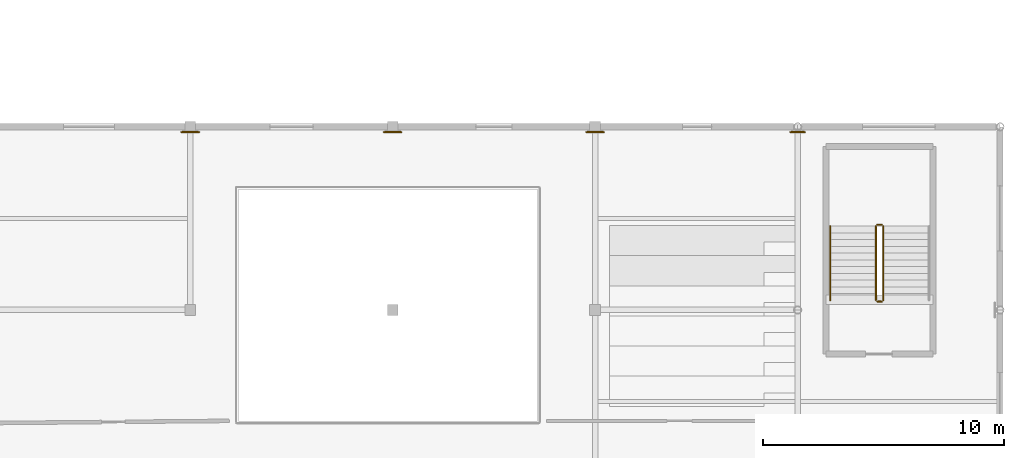
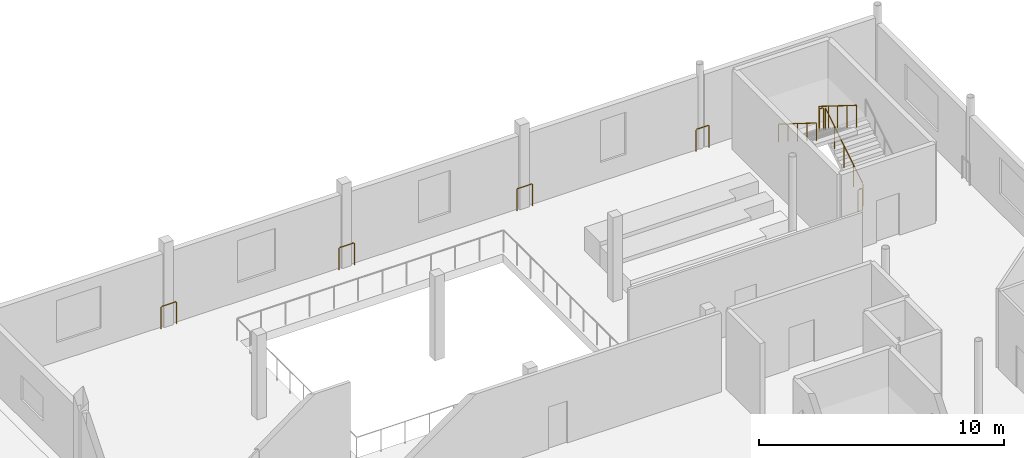
# One storey, part 12 of 13: 9 railings.
"""IFC4 building model written with IfcOpenShell, lengths in metres."""

from ifc_helpers import new_model, si_unit, direction, frame, origin, origin_2d, place, context, subcontext, project, spatial, circle, extrude, material, type_object, element, save


model = new_model("IFC4")

# Units and contexts
model_context = context("Model", 3, precision=1e-05, world=origin(), true_north=direction((0.0, 1.0)))
body_context = subcontext(model_context, "Body", "Model", "MODEL_VIEW")
ifc_project = project(units=[si_unit("LENGTHUNIT", "METRE"), si_unit("AREAUNIT", "SQUARE_METRE"), si_unit("VOLUMEUNIT", "CUBIC_METRE"), si_unit("PLANEANGLEUNIT", "RADIAN"), si_unit("MASSUNIT", "GRAM", prefix="KILO")], contexts=[model_context])

# Site, building, storey
site_placement = place(None, origin())
site = spatial("IfcSite", under=ifc_project, at=site_placement, CompositionType="ELEMENT")
building_placement = place(site_placement, origin())
building = spatial("IfcBuilding", under=site, at=building_placement, Name="Zuvorla Pavilion Media Centre", CompositionType="ELEMENT")
storey_placement = place(building_placement, frame((0.0, 0.0, 22.199951171875)))
storey = spatial("IfcBuildingStorey", under=building, at=storey_placement, Name="L05", CompositionType="ELEMENT", Elevation=22.199951171875)

# Railings
ifc_material_1 = material(Name="Powder-coated steel balustrade guard", Category="steel")
railing_type_1 = type_object("IfcRailingType", Name="RL-INT-GRD", PredefinedType="BALUSTRADE", material=ifc_material_1)
railing_1_placement = place(storey_placement, frame((103.949951171875, 29.199951171875, 0.175048828125)))
element("IfcRailing", 1, at=railing_1_placement, inside=storey, type_object=railing_type_1, Name="L05 ST-04 stair guard 1", PredefinedType="BALUSTRADE", context=body_context, shape_type="SweptSolid", body=[
    extrude(circle(Radius=0.02392578125, at=origin_2d()), frame((0.0, 0.0244140625, 1.111328125), z_axis=(0.0, 0.847998304005, 0.529998940003), x_axis=(-1.0, 0.0, 0.0)), (0.0, 0.0, 1.0), 3.574462890625),
    extrude(circle(Radius=0.02099609375, at=origin_2d()), origin(), (0.0, 0.0, 1.0), 1.070068359375),
    extrude(circle(Radius=0.02099609375, at=origin_2d()), frame((0.0, 0.77001953125, 0.481201171875)), (0.0, 0.0, 1.0), 1.070068359375),
    extrude(circle(Radius=0.02099609375, at=origin_2d()), frame((0.0, 1.5400390625, 0.96240234375)), (0.0, 0.0, 1.0), 1.070068359375),
    extrude(circle(Radius=0.02099609375, at=origin_2d()), frame((0.0, 2.31005859375, 1.44384765625)), (0.0, 0.0, 1.0), 1.070068359375),
    extrude(circle(Radius=0.02099609375, at=origin_2d()), frame((0.0, 3.080078125, 1.925048828125)), (0.0, 0.0, 1.0), 1.070068359375),
])
railing_2_placement = place(storey_placement, frame((103.89990234375, 32.330078125, 2.10009765625)))
element("IfcRailing", 2, at=railing_2_placement, inside=storey, type_object=railing_type_1, Name="L05 ST-04 stair guard 2", PredefinedType="BALUSTRADE", context=body_context, shape_type="SweptSolid", body=[
    extrude(circle(Radius=0.02392578125, at=origin_2d()), frame((-0.02880859375, 0.0, 1.09619140625), z_axis=(-1.0, 0.0, 0.0), x_axis=(0.0, -1.0, 0.0)), (0.0, 0.0, 1.0), 0.142333984375),
    extrude(circle(Radius=0.02099609375, at=origin_2d()), origin(), (0.0, 0.0, 1.0), 1.070068359375),
    extrude(circle(Radius=0.02099609375, at=origin_2d()), frame((-0.199951171875, 0.0, 0.0)), (0.0, 0.0, 1.0), 1.070068359375),
])
railing_3_placement = place(storey_placement, frame((103.64990234375, 32.280029296875, 2.275146484375)))
element("IfcRailing", 3, at=railing_3_placement, inside=storey, type_object=railing_type_1, Name="L05 ST-04 stair guard 3", PredefinedType="BALUSTRADE", context=body_context, shape_type="SweptSolid", body=[
    extrude(circle(Radius=0.02392578125, at=origin_2d()), frame((0.0, -0.0244140625, 1.111328125), z_axis=(0.0, -0.848028513186, 0.529950602248), x_axis=(1.0, 0.0, 0.0)), (0.0, 0.0, 1.0), 3.57421875),
    extrude(circle(Radius=0.02099609375, at=origin_2d()), origin(), (0.0, 0.0, 1.0), 1.070068359375),
    extrude(circle(Radius=0.02099609375, at=origin_2d()), frame((0.0, -0.77001953125, 0.481201171875)), (0.0, 0.0, 1.0), 1.070068359375),
    extrude(circle(Radius=0.02099609375, at=origin_2d()), frame((0.0, -1.5400390625, 0.96240234375)), (0.0, 0.0, 1.0), 1.070068359375),
    extrude(circle(Radius=0.02099609375, at=origin_2d()), frame((0.0, -2.31005859375, 1.443603515625)), (0.0, 0.0, 1.0), 1.070068359375),
    extrude(circle(Radius=0.02099609375, at=origin_2d()), frame((0.0, -3.080078125, 1.9248046875)), (0.0, 0.0, 1.0), 1.070068359375),
])
railing_4_placement = place(storey_placement, frame((103.89990234375, 29.14990234375, 0.0)))
element("IfcRailing", 4, at=railing_4_placement, inside=storey, type_object=railing_type_1, Name="L05 ST-04 stair guard 4", PredefinedType="BALUSTRADE", context=body_context, shape_type="SweptSolid", body=[
    extrude(circle(Radius=0.02392578125, at=origin_2d()), frame((-0.02880859375, 0.0, 1.09619140625), z_axis=(-1.0, 0.0, 0.0), x_axis=(0.0, -1.0, 0.0)), (0.0, 0.0, 1.0), 0.142333984375),
    extrude(circle(Radius=0.02099609375, at=origin_2d()), origin(), (0.0, 0.0, 1.0), 1.070068359375),
    extrude(circle(Radius=0.02099609375, at=origin_2d()), frame((-0.199951171875, 0.0, 0.0)), (0.0, 0.0, 1.0), 1.070068359375),
])
for number, where, name in (
    (5, (74.8349609375, 36.179931640625, 0.0), "L05 slab edge guard 130"),
    (6, (83.235107421875, 36.179931640625, 0.0), "L05 slab edge guard 131"),
    (7, (91.635009765625, 36.179931640625, 0.0), "L05 slab edge guard 132"),
):
    element("IfcRailing", number, at=place(storey_placement, frame(where)), inside=storey, type_object=railing_type_1, Name=name, PredefinedType="BALUSTRADE", context=body_context, shape_type="SweptSolid", body=[
        extrude(circle(Radius=0.02392578125, at=origin_2d()), frame((0.02880859375, 0.0, 1.09619140625), z_axis=(1.0, 0.0, 0.0), x_axis=(0.0, 1.0, 0.0)), (0.0, 0.0, 1.0), 0.67236328125),
        extrude(circle(Radius=0.02099609375, at=origin_2d()), origin(), (0.0, 0.0, 1.0), 1.070068359375),
        extrude(circle(Radius=0.02099609375, at=origin_2d()), frame((0.72998046875, 0.0, 0.0)), (0.0, 0.0, 1.0), 1.070068359375),
    ])
railing_5_placement = place(storey_placement, frame((100.097900390625, 36.179931640625, 0.0)))
element("IfcRailing", 8, at=railing_5_placement, inside=storey, type_object=railing_type_1, Name="L05 slab edge guard 133", PredefinedType="BALUSTRADE", context=body_context, shape_type="SweptSolid", body=[
    extrude(circle(Radius=0.02392578125, at=origin_2d()), frame((0.02880859375, 0.0, 1.09619140625), z_axis=(1.0, 0.0, 0.0), x_axis=(0.0, 1.0, 0.0)), (0.0, 0.0, 1.0), 0.54638671875),
    extrude(circle(Radius=0.02099609375, at=origin_2d()), origin(), (0.0, 0.0, 1.0), 1.070068359375),
    extrude(circle(Radius=0.02099609375, at=origin_2d()), frame((0.60400390625, 0.0, 0.0)), (0.0, 0.0, 1.0), 1.070068359375),
])
ifc_material_2 = material(Name="Brushed stainless steel tubular handrail", Category="steel")
railing_type_2 = type_object("IfcRailingType", Name="RL-INT-HND", PredefinedType="HANDRAIL", material=ifc_material_2)
railing_6_placement = place(storey_placement, frame((101.75, 32.280029296875, 2.275146484375)))
element("IfcRailing", 9, at=railing_6_placement, inside=storey, type_object=railing_type_2, Name="L05 ST-04 handrail 2", PredefinedType="HANDRAIL", context=body_context, shape_type="SweptSolid", body=[
    extrude(circle(Radius=0.02392578125, at=origin_2d()), frame((0.0, -0.0244140625, 0.89111328125), z_axis=(0.0, -0.848028513186, 0.529950602248), x_axis=(1.0, 0.0, 0.0)), (0.0, 0.0, 1.0), 3.57421875),
    extrude(circle(Radius=0.02099609375, at=origin_2d()), origin(), (0.0, 0.0, 1.0), 0.849853515625),
    extrude(circle(Radius=0.02099609375, at=origin_2d()), frame((0.0, -0.77001953125, 0.481201171875)), (0.0, 0.0, 1.0), 0.849853515625),
    extrude(circle(Radius=0.02099609375, at=origin_2d()), frame((0.0, -1.5400390625, 0.96240234375)), (0.0, 0.0, 1.0), 0.849853515625),
    extrude(circle(Radius=0.02099609375, at=origin_2d()), frame((0.0, -2.31005859375, 1.443603515625)), (0.0, 0.0, 1.0), 0.849853515625),
    extrude(circle(Radius=0.02099609375, at=origin_2d()), frame((0.0, -3.080078125, 1.9248046875)), (0.0, 0.0, 1.0), 0.849853515625),
])

save(model, "model.ifc")
